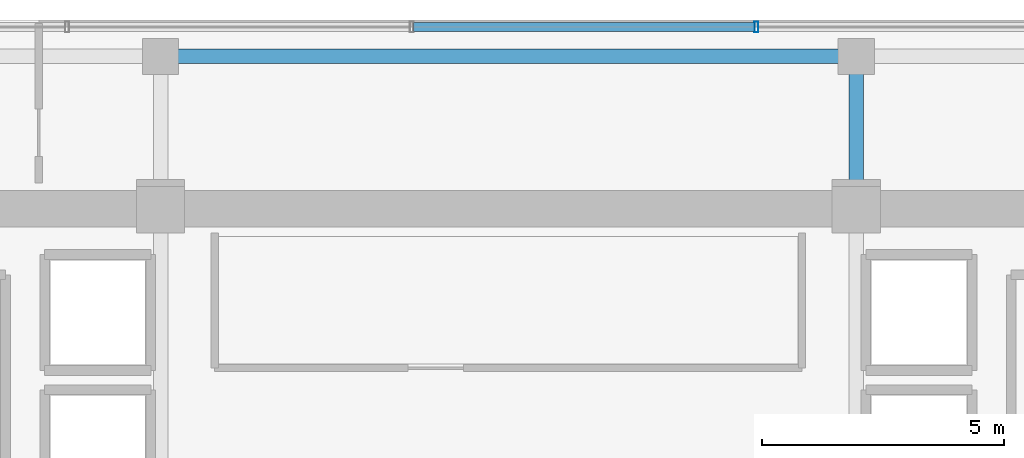
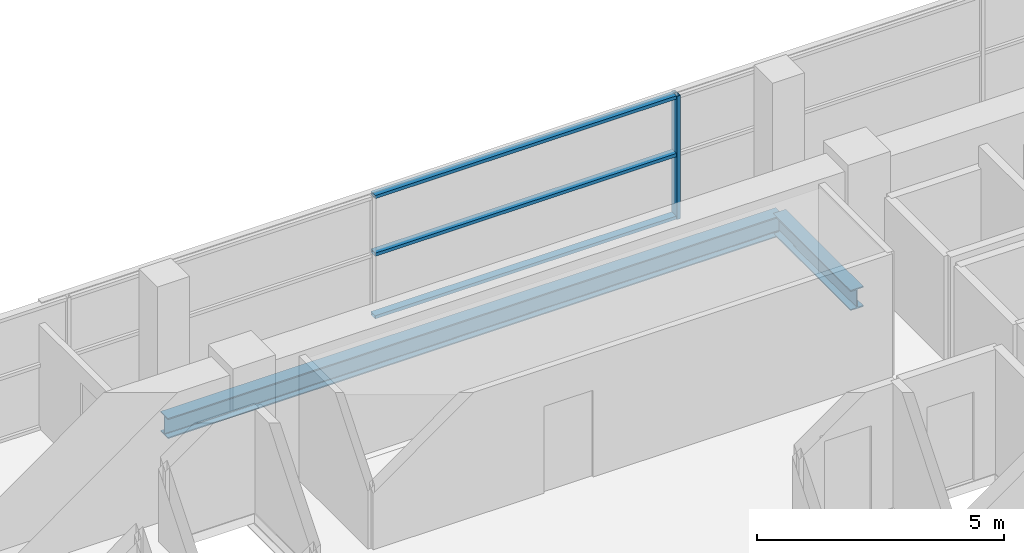
# One storey, part 15 of 25: 4 members, 2 beams, 1 element without a shape of its own.
"""IFC4 building model written with IfcOpenShell, lengths in metres."""

import ifcopenshell
import ifcopenshell.guid

model = None  # the IFC model being written
_history = None  # IfcOwnerHistory: only IFC2X3 demands one
_inside = {}  # id of a spatial element -> (the spatial element, [elements in it])
_under = {}  # id of a project, library or spatial element -> (it, [spatial elements below it])
_declared = {}  # id of a project -> (the project, [libraries it declares])
_typed = {}  # id of a type object -> (the type object, [elements of that type])
_made_of = {}  # id of a material, layer set ... -> (it, [elements and type objects made of it])


def new_model(schema):
    """Start an empty IFC model of exactly this schema.

    Asked for "IFC4X3", IfcOpenShell would pick the latest addendum, in which some entities
    have other attributes; the version numbers below select the first issue.
    IFC2X3 requires an IfcOwnerHistory on every rooted entity: one is made here for all.
    """
    global model, _history
    if schema == "IFC4X3":
        model = ifcopenshell.file(schema_version=(4, 3, 0, 0))
    else:
        model = ifcopenshell.file(schema=schema)
    _inside.clear()
    _under.clear()
    _declared.clear()
    _typed.clear()
    _made_of.clear()
    _history = None
    if model.schema == "IFC2X3":
        org = make("IfcOrganization", Name="unknown")
        user = make(
            "IfcPersonAndOrganization",
            ThePerson=make("IfcPerson", FamilyName="unknown"),
            TheOrganization=org,
        )
        app = make(
            "IfcApplication",
            ApplicationDeveloper=org,
            Version="unknown",
            ApplicationFullName="unknown",
            ApplicationIdentifier="unknown",
        )
        _history = make(
            "IfcOwnerHistory",
            OwningUser=user,
            OwningApplication=app,
            ChangeAction="ADDED",
            CreationDate=0,
        )
    return model


def make(cls, **values):
    """One entity of the class cls with the attributes given. An attribute that is None is left unset."""
    return model.create_entity(
        cls, **{name: value for name, value in values.items() if value is not None}
    )


def rooted(cls, **values):
    """An entity with a GlobalId (a new one), such as an element, a storey or a relation."""
    return make(cls, GlobalId=ifcopenshell.guid.new(), OwnerHistory=_history, **values)


def si_unit(unit_type, name, prefix=None):
    """IfcSIUnit, for example si_unit("LENGTHUNIT", "METRE", prefix="MILLI")."""
    return make("IfcSIUnit", UnitType=unit_type, Prefix=prefix, Name=name)


def assignment(units):
    """IfcUnitAssignment: the units of a project."""
    return None if units is None else make("IfcUnitAssignment", Units=units)


def point(xyz):
    """IfcCartesianPoint."""
    return None if xyz is None else make("IfcCartesianPoint", Coordinates=xyz)


def direction(xyz):
    """IfcDirection."""
    return None if xyz is None else make("IfcDirection", DirectionRatios=xyz)


def frame(location, z_axis=None, x_axis=None):
    """IfcAxis2Placement3D, a coordinate frame: its origin and axes. An axis left out is left unset."""
    return make(
        "IfcAxis2Placement3D",
        Location=point(location),
        Axis=direction(z_axis),
        RefDirection=direction(x_axis),
    )


def frame_2d(location, x_axis=None):
    """IfcAxis2Placement2D, a coordinate frame in the plane: its origin and x axis."""
    return make(
        "IfcAxis2Placement2D", Location=point(location), RefDirection=direction(x_axis)
    )


def origin():
    """The frame at (0, 0, 0) with its axes left unset."""
    return frame((0.0, 0.0, 0.0))


def origin_2d():
    """The frame at (0, 0) in the plane with its x axis left unset."""
    return frame_2d((0.0, 0.0))


def place(relative_to, where):
    """IfcLocalPlacement: puts the frame where relative to a parent placement (None: the world)."""
    return make(
        "IfcLocalPlacement", PlacementRelTo=relative_to, RelativePlacement=where
    )


def context(
    kind, dimensions, precision=None, world=None, true_north=None, identifier=None
):
    """IfcGeometricRepresentationContext, for example the 3D "Model" context."""
    return make(
        "IfcGeometricRepresentationContext",
        ContextIdentifier=identifier,
        ContextType=kind,
        CoordinateSpaceDimension=dimensions,
        Precision=precision,
        WorldCoordinateSystem=world,
        TrueNorth=true_north,
    )


def subcontext(parent, identifier, kind, view, scale=None):
    """IfcGeometricRepresentationSubContext, for example "Body" below "Model"."""
    return make(
        "IfcGeometricRepresentationSubContext",
        ContextIdentifier=identifier,
        ContextType=kind,
        ParentContext=parent,
        TargetScale=scale,
        TargetView=view,
    )


def project(units=None, contexts=None):
    """IfcProject with its units and contexts."""
    return rooted(
        "IfcProject",
        Name="project",
        RepresentationContexts=contexts,
        UnitsInContext=assignment(units),
    )


def spatial(cls, under=None, at=None, **own):
    """A site, building, storey or space (cls), placed at a placement, below another one or the project."""
    s = rooted(cls, ObjectPlacement=at, **own)
    if under is not None:
        _under.setdefault(under.id(), (under, []))[1].append(s)
    return s


def profile(cls, at=None, kind="AREA", **sizes):
    """A parametric profile (cls). Its sizes go by their IFC names, for example OverallWidth=200.0."""
    return make(cls, ProfileType=kind, Position=at, **sizes)


def hollow_rectangle(**sizes):
    """IfcRectangleHollowProfileDef."""
    return profile("IfcRectangleHollowProfileDef", **sizes)


def i_section(**sizes):
    """IfcIShapeProfileDef."""
    return profile("IfcIShapeProfileDef", **sizes)


def extrude(swept, where, along, depth):
    """IfcExtrudedAreaSolid: the profile swept, set in the frame where, extruded along a direction by depth."""
    return make(
        "IfcExtrudedAreaSolid",
        SweptArea=swept,
        Position=where,
        ExtrudedDirection=direction(along),
        Depth=depth,
    )


def shape(context_of_items, identifier, shape_type, items):
    """IfcShapeRepresentation: the items that make up one representation, for example the "Body"."""
    return make(
        "IfcShapeRepresentation",
        ContextOfItems=context_of_items,
        RepresentationIdentifier=identifier,
        RepresentationType=shape_type,
        Items=items,
    )


def source(mapping_origin, context_of_items, identifier, shape_type, items):
    """IfcRepresentationMap: a shape defined once, which mapped items show again and again."""
    return make(
        "IfcRepresentationMap",
        MappingOrigin=mapping_origin,
        MappedRepresentation=shape(context_of_items, identifier, shape_type, items),
    )


def transform(
    local_origin,
    x_axis=None,
    y_axis=None,
    z_axis=None,
    scale=None,
    scale2=None,
    scale3=None,
    uniform=True,
):
    """IfcCartesianTransformationOperator3D, or its non-uniform kind. x_axis, y_axis, z_axis: its Axis1, 2, 3."""
    if uniform:
        return make(
            "IfcCartesianTransformationOperator3D",
            Axis1=direction(x_axis),
            Axis2=direction(y_axis),
            LocalOrigin=point(local_origin),
            Scale=scale,
            Axis3=direction(z_axis),
        )
    return make(
        "IfcCartesianTransformationOperator3DnonUniform",
        Axis1=direction(x_axis),
        Axis2=direction(y_axis),
        LocalOrigin=point(local_origin),
        Scale=scale,
        Axis3=direction(z_axis),
        Scale2=scale2,
        Scale3=scale3,
    )


def mapped(mapping_source, mapping_target):
    """IfcMappedItem: shows the shape of a source again, moved by a transform."""
    return make(
        "IfcMappedItem", MappingSource=mapping_source, MappingTarget=mapping_target
    )


def material(Name=None, Category=None):
    """IfcMaterial."""
    return make("IfcMaterial", Name=Name, Category=Category)


def layer(
    of_material, thickness, ventilated=None, Name=None, Category=None, Priority=None
):
    """IfcMaterialLayer: one layer of a wall or slab, of a material (None: an air gap)."""
    return make(
        "IfcMaterialLayer",
        Material=of_material,
        LayerThickness=thickness,
        IsVentilated=ventilated,
        Name=Name,
        Category=Category,
        Priority=Priority,
    )


def layer_set(layers, Name=None):
    """IfcMaterialLayerSet."""
    return make("IfcMaterialLayerSet", MaterialLayers=layers, LayerSetName=Name)


def material_profile(
    of_material, cross_section, Name=None, Category=None, Priority=None
):
    """IfcMaterialProfile: a cross section and its material."""
    return make(
        "IfcMaterialProfile",
        Name=Name,
        Material=of_material,
        Profile=cross_section,
        Priority=Priority,
        Category=Category,
    )


def profile_set(profiles, Name=None, composite=None):
    """IfcMaterialProfileSet."""
    return make(
        "IfcMaterialProfileSet",
        Name=Name,
        MaterialProfiles=profiles,
        CompositeProfile=composite,
    )


def made_of(thing, what):
    """Note that an element or type object is made of a material, layer set ...; save() writes the relation."""
    if what is not None:
        _made_of.setdefault(what.id(), (what, []))[1].append(thing)
    return thing


def type_object(cls, material=None, **own):
    """A type object (cls), such as IfcWallType, which elements share."""
    return made_of(rooted(cls, **own), material)


def element(
    cls,
    number,
    at=None,
    inside=None,
    cuts=None,
    type_object=None,
    material=None,
    context=None,
    identifier="Body",
    shape_type=None,
    held_by="IfcProductDefinitionShape",
    body=None,
    shapes=None,
    **own,
):
    """One element of the class cls, such as IfcWall. Its Tag is "e" and its number.

    at: its placement. inside: the storey or other place that contains it. cuts: it is an
    opening in that element (IfcRelVoidsElement). A single representation is given by context,
    identifier, shape_type and body (its items); several are given by shapes. held_by: the class
    of the entity that holds the representations. save() writes the other relations.
    """
    e = rooted(cls, Tag="e%d" % number, ObjectPlacement=at, **own)
    if body is not None:
        shapes = [shape(context, identifier, shape_type, body)]
    if shapes is not None:
        e.Representation = make(held_by, Representations=shapes)
    if inside is not None:
        _inside.setdefault(inside.id(), (inside, []))[1].append(e)
    if cuts is not None:
        rooted(
            "IfcRelVoidsElement", RelatingBuildingElement=cuts, RelatedOpeningElement=e
        )
    if type_object is not None:
        _typed.setdefault(type_object.id(), (type_object, []))[1].append(e)
    return made_of(e, material)


def aggregate(whole, parts):
    """IfcRelAggregates: a whole, such as a stair, and the parts it consists of."""
    return rooted("IfcRelAggregates", RelatingObject=whole, RelatedObjects=parts)


def save(model, path):
    """Write the relations noted so far, then the file.

    IfcRelAggregates (storeys below a building ...), IfcRelContainedInSpatialStructure (elements
    in a storey), IfcRelDefinesByType, IfcRelAssociatesMaterial and IfcRelDeclares: one each for
    every whole, place, type object, material and project.
    """
    for whole, parts in _under.values():
        aggregate(whole, parts)
    for where, things in _inside.values():
        rooted(
            "IfcRelContainedInSpatialStructure",
            RelatedElements=things,
            RelatingStructure=where,
        )
    for kind, things in _typed.values():
        rooted("IfcRelDefinesByType", RelatedObjects=things, RelatingType=kind)
    for what, things in _made_of.values():
        rooted("IfcRelAssociatesMaterial", RelatedObjects=things, RelatingMaterial=what)
    for by, libraries in _declared.values():
        rooted("IfcRelDeclares", RelatingContext=by, RelatedDefinitions=libraries)
    model.write(path)


model = new_model("IFC4")

# Units and contexts
model_context = context("Model", 3, precision=1e-05, world=origin(), true_north=direction((0.0, 1.0)))
body_context = subcontext(model_context, "Body", "Model", "MODEL_VIEW")
ifc_project = project(units=[si_unit("LENGTHUNIT", "METRE"), si_unit("AREAUNIT", "SQUARE_METRE"), si_unit("VOLUMEUNIT", "CUBIC_METRE"), si_unit("PLANEANGLEUNIT", "RADIAN"), si_unit("MASSUNIT", "GRAM", prefix="KILO")], contexts=[model_context])

# Site, building, storey
site_placement = place(None, origin())
site = spatial("IfcSite", under=ifc_project, at=site_placement, CompositionType="ELEMENT")
building_placement = place(site_placement, origin())
building = spatial("IfcBuilding", under=site, at=building_placement, Name="Zarnakvel Exchange Tower", CompositionType="ELEMENT")
storey_placement = place(building_placement, frame((0.0, 0.0, 162.699951171875)))
storey = spatial("IfcBuildingStorey", under=building, at=storey_placement, Name="L45", CompositionType="ELEMENT", Elevation=162.699951171875)

# Beams
ifc_material_1 = material(Name="Steel S355", Category="steel")
ifc_material_profile_1 = material_profile(ifc_material_1, i_section(OverallWidth=0.300048828125, OverallDepth=0.5, WebThickness=0.014404296875, FlangeThickness=0.028076171875, FilletRadius=0.027099609375, at=origin_2d()))
ifc_profile_set_1 = profile_set([ifc_material_profile_1], Name="Steel S355")
beam_type_1 = type_object("IfcBeamType", Name="G-06", PredefinedType="BEAM", material=ifc_profile_set_1)
beam_1_placement = place(storey_placement, frame((7.199951171875, 13.5, -0.474853515625), z_axis=(0.0, 1.0, 0.0), x_axis=(-1.0, 0.0, 0.0)))
element("IfcBeam", 1, at=beam_1_placement, inside=storey, type_object=beam_type_1, Name="L45 Tower N-S Frame Beam", PredefinedType="BEAM", context=body_context, shape_type="SweptSolid", body=[
    extrude(i_section(OverallWidth=0.300048828125, OverallDepth=0.5, WebThickness=0.014404296875, FlangeThickness=0.028076171875, FilletRadius=0.027099609375, at=origin_2d()), origin(), (0.0, 0.0, 1.0), 3.14990234375),
])
ifc_material_profile_2 = material_profile(ifc_material_1, i_section(OverallWidth=0.300048828125, OverallDepth=0.5, WebThickness=0.014404296875, FlangeThickness=0.028076171875, FilletRadius=0.027099609375, at=origin_2d()))
ifc_profile_set_2 = profile_set([ifc_material_profile_2], Name="Steel S355")
beam_type_2 = type_object("IfcBeamType", Name="SP-02", PredefinedType="SPANDREL", material=ifc_profile_set_2)
beam_2_placement = place(storey_placement, frame((-7.199951171875, 16.64990234375, -0.474853515625), z_axis=(1.0, 0.0, 0.0), x_axis=(0.0, 1.0, 0.0)))
element("IfcBeam", 2, at=beam_2_placement, inside=storey, type_object=beam_type_2, Name="L45 Tower E-W Frame Beam", PredefinedType="SPANDREL", context=body_context, shape_type="SweptSolid", body=[
    extrude(i_section(OverallWidth=0.300048828125, OverallDepth=0.5, WebThickness=0.014404296875, FlangeThickness=0.028076171875, FilletRadius=0.027099609375, at=origin_2d()), origin(), (0.0, 0.0, 1.0), 14.39990234375),
])

# Curtain wall, members
ifc_material_2 = material(Name="Architectural Bronze Anodised Aluminium", Category="aluminium")
ifc_layer = layer(ifc_material_2, 0.219970703125)
ifc_layer_set = layer_set([ifc_layer], Name="Architectural Bronze Anodised Aluminium")
curtain_wall_type = type_object("IfcCurtainWallType", Name="CW-03", PredefinedType="NOTDEFINED", material=ifc_layer_set)
curtain_wall_placement = place(storey_placement, origin())
curtain_wall = element("IfcCurtainWall", 3, at=curtain_wall_placement, inside=storey, type_object=curtain_wall_type, Name="L45 Curtain Wall CW-L45-N1 (CW-03)", PredefinedType="NOTDEFINED")
ifc_material_profile_3 = material_profile(ifc_material_2, hollow_rectangle(XDim=0.219970703125, YDim=0.080078125, WallThickness=0.0048828125, at=origin_2d()))
ifc_profile_set_3 = profile_set([ifc_material_profile_3], Name="Architectural Bronze Anodised Aluminium")
member_type_1 = type_object("IfcMemberType", Name="CWM-03", PredefinedType="MULLION", material=ifc_profile_set_3)
shared_shape_1 = source(origin(), body_context, "Body", "SweptSolid", [
    extrude(hollow_rectangle(XDim=0.219970703125, YDim=0.080078125, WallThickness=0.0048828125, at=origin_2d()), origin(), (0.0, 0.0, 1.0), 3.054931640625),
])
member_1_placement = place(storey_placement, frame((5.13330078125, 17.260009765625, 0.0), z_axis=(0.0, 0.0, 1.0), x_axis=(0.0, 1.0, 0.0)))
member_1 = element("IfcMember", 4, at=member_1_placement, type_object=member_type_1, Name="CW-03 mullion 5", PredefinedType="MULLION", context=body_context, shape_type="MappedRepresentation", body=[
    mapped(shared_shape_1, transform((0.0, 0.0, 0.0), x_axis=(1.0, 0.0, 0.0), y_axis=(0.0, 1.0, 0.0), z_axis=(0.0, 0.0, 1.0), scale=1.0)),
])
ifc_material_profile_4 = material_profile(ifc_material_2, hollow_rectangle(XDim=0.179931640625, YDim=0.080078125, WallThickness=0.00390625, at=origin_2d()))
ifc_profile_set_4 = profile_set([ifc_material_profile_4], Name="Architectural Bronze Anodised Aluminium")
member_type_2 = type_object("IfcMemberType", Name="CWT-03", PredefinedType="USERDEFINED", material=ifc_profile_set_4)
shared_shape_2 = source(origin(), body_context, "Body", "SweptSolid", [
    extrude(hollow_rectangle(XDim=0.179931640625, YDim=0.080078125, WallThickness=0.00390625, at=origin_2d()), origin(), (0.0, 0.0, 1.0), 7.05322265625),
])
member_2_placement = place(storey_placement, frame((-1.9599609375, 17.260009765625, 0.0400390625), z_axis=(1.0, 0.0, 0.0), x_axis=(0.0, 1.0, 0.0)))
member_2 = element("IfcMember", 5, at=member_2_placement, type_object=member_type_2, Name="CW-03 transom 4.1", ObjectType="TRANSOM", PredefinedType="USERDEFINED", context=body_context, shape_type="MappedRepresentation", body=[
    mapped(shared_shape_2, transform((0.0, 0.0, 0.0), x_axis=(1.0, 0.0, 0.0), y_axis=(0.0, 1.0, 0.0), z_axis=(0.0, 0.0, 1.0), scale=1.0)),
])
member_3_placement = place(storey_placement, frame((-1.9599609375, 17.260009765625, 1.588623046875), z_axis=(1.0, 0.0, 0.0), x_axis=(0.0, 1.0, 0.0)))
member_3 = element("IfcMember", 6, at=member_3_placement, type_object=member_type_2, Name="CW-03 transom 4.2", ObjectType="TRANSOM", PredefinedType="USERDEFINED", context=body_context, shape_type="MappedRepresentation", body=[
    mapped(shared_shape_2, transform((0.0, 0.0, 0.0), x_axis=(1.0, 0.0, 0.0), y_axis=(0.0, 1.0, 0.0), z_axis=(0.0, 0.0, 1.0), scale=1.0)),
])
member_4_placement = place(storey_placement, frame((-1.9599609375, 17.260009765625, 3.01513671875), z_axis=(1.0, 0.0, 0.0), x_axis=(0.0, 1.0, 0.0)))
member_4 = element("IfcMember", 7, at=member_4_placement, type_object=member_type_2, Name="CW-03 transom 4.3", ObjectType="TRANSOM", PredefinedType="USERDEFINED", context=body_context, shape_type="MappedRepresentation", body=[
    mapped(shared_shape_2, transform((0.0, 0.0, 0.0), x_axis=(1.0, 0.0, 0.0), y_axis=(0.0, 1.0, 0.0), z_axis=(0.0, 0.0, 1.0), scale=1.0)),
])
aggregate(curtain_wall, [member_1, member_2, member_3, member_4])

save(model, "model.ifc")
